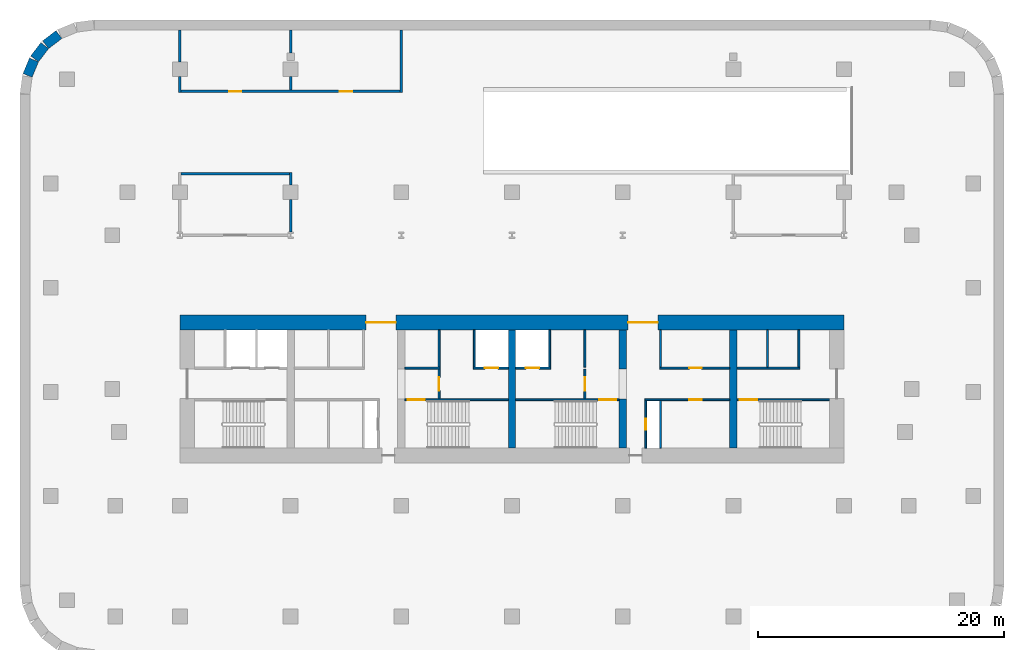
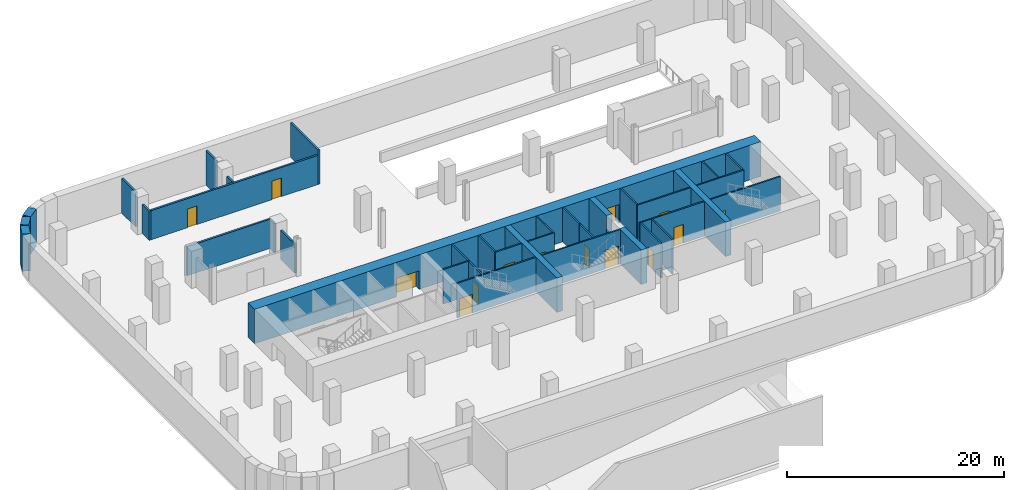
# One storey, part 3 of 6: 37 walls, 14 doors, 14 openings.
"""IFC4 building model written with IfcOpenShell, lengths in metres."""

from ifc_helpers import new_model, si_unit, direction, frame, frame_2d, origin, place, context, subcontext, project, spatial, rectangle, extrude, material, layer, layer_set, type_object, element, fill, save


model = new_model("IFC4")

# Units and contexts
model_context = context("Model", 3, precision=1e-05, world=origin(), true_north=direction((0.0, 1.0)))
body_context = subcontext(model_context, "Body", "Model", "MODEL_VIEW")
ifc_project = project(units=[si_unit("LENGTHUNIT", "METRE"), si_unit("AREAUNIT", "SQUARE_METRE"), si_unit("VOLUMEUNIT", "CUBIC_METRE"), si_unit("PLANEANGLEUNIT", "RADIAN"), si_unit("MASSUNIT", "GRAM", prefix="KILO")], contexts=[model_context])

# Site, building, storey
site_placement = place(None, origin())
site = spatial("IfcSite", under=ifc_project, at=site_placement, CompositionType="ELEMENT")
building_placement = place(site_placement, origin())
building = spatial("IfcBuilding", under=site, at=building_placement, Name="Zellij Exchange Tower", CompositionType="ELEMENT")
storey_placement = place(building_placement, frame((0.0, 0.0, -4.199951171875)))
storey = spatial("IfcBuildingStorey", under=building, at=storey_placement, Name="B1", CompositionType="ELEMENT", Elevation=-4.199951171875)

# Wall
ifc_material_1 = material(Name="Concrete C32/40", Category="concrete")
ifc_layer_1 = layer(ifc_material_1, 0.199951171875)
ifc_layer_set_1 = layer_set([ifc_layer_1], Name="Concrete C32/40")
wall_type_1 = type_object("IfcWallType", Name="BSM-Wall 200", PredefinedType="PARTITIONING", material=ifc_layer_set_1)
wall_1_placement = place(storey_placement, frame((-26.89990234375, 9.5, 0.0), z_axis=(0.0, 0.0, 1.0), x_axis=(1.0, 0.0, 0.0)))
element("IfcWall", 1, at=wall_1_placement, inside=storey, type_object=wall_type_1, Name="Partition 4", PredefinedType="PARTITIONING", context=body_context, shape_type="SweptSolid", body=[
    extrude(rectangle(XDim=8.7998046875, YDim=0.199951171875, at=frame_2d((4.39990234375, 0.0))), origin(), (0.0, 0.0, 1.0), 3.287841796875),
])

# Wall, openings, doors
wall_2_placement = place(storey_placement, frame((-26.89990234375, 16.199951171875, 0.0), z_axis=(0.0, 0.0, 1.0), x_axis=(1.0, 0.0, 0.0)))
wall_2 = element("IfcWall", 2, at=wall_2_placement, inside=storey, type_object=wall_type_1, Name="Partition 5", PredefinedType="PARTITIONING", context=body_context, shape_type="SweptSolid", body=[
    extrude(rectangle(XDim=17.7998046875, YDim=0.199951171875, at=frame_2d((8.89990234375, 0.0))), origin(), (0.0, 0.0, 1.0), 3.287841796875),
])
opening_1_placement = place(wall_2_placement, frame((3.89990234375, 0.0, 0.0)))
opening_1 = element("IfcOpeningElement", 3, at=opening_1_placement, cuts=wall_2, Name="Opening BS1.03", PredefinedType="OPENING", context=body_context, shape_type="SweptSolid", body=[
    extrude(rectangle(XDim=1.0, YDim=2.10009765625, at=frame_2d((0.5, 1.050048828125))), frame((0.0, 0.11181640625, 0.0), z_axis=(0.0, -1.0, 0.0), x_axis=(1.0, 0.0, 0.0)), (0.0, 0.0, 1.0), 0.223876953125),
])
opening_2_placement = place(wall_2_placement, frame((12.89990234375, 0.0, 0.0)))
opening_2 = element("IfcOpeningElement", 4, at=opening_2_placement, cuts=wall_2, Name="Opening BS1.04", PredefinedType="OPENING", context=body_context, shape_type="SweptSolid", body=[
    extrude(rectangle(XDim=1.0, YDim=2.10009765625, at=frame_2d((0.5, 1.050048828125))), frame((0.0, 0.11181640625, 0.0), z_axis=(0.0, -1.0, 0.0), x_axis=(1.0, 0.0, 0.0)), (0.0, 0.0, 1.0), 0.223876953125),
])
ifc_material_2 = material(Name="Painted steel door leaf", Category="steel")
door_type_1 = type_object("IfcDoorType", Name="BSM-Door 1000x2100 FD60", OperationType="SINGLE_SWING_LEFT", PredefinedType="DOOR", material=ifc_material_2)
door_1_placement = place(opening_1_placement, origin())
door_1 = element("IfcDoor", 5, at=door_1_placement, inside=storey, type_object=door_type_1, Name="bsm.B1.door.BS1.03", OperationType="SINGLE_SWING_LEFT", OverallHeight=2.10009765625, OverallWidth=1.0, PredefinedType="DOOR", context=body_context, shape_type="SweptSolid", body=[
    extrude(rectangle(XDim=1.0, YDim=2.10009765625, at=frame_2d((0.5, 1.050048828125))), frame((0.0, 0.02490234375, 0.0), z_axis=(0.0, -1.0, 0.0), x_axis=(1.0, 0.0, 0.0)), (0.0, 0.0, 1.0), 0.050048828125),
])
fill(opening_1, door_1)
door_2_placement = place(opening_2_placement, origin())
door_2 = element("IfcDoor", 6, at=door_2_placement, inside=storey, type_object=door_type_1, Name="bsm.B1.door.BS1.04", OperationType="SINGLE_SWING_LEFT", OverallHeight=2.10009765625, OverallWidth=1.0, PredefinedType="DOOR", context=body_context, shape_type="SweptSolid", body=[
    extrude(rectangle(XDim=1.0, YDim=2.10009765625, at=frame_2d((0.5, 1.050048828125))), frame((0.0, 0.02490234375, 0.0), z_axis=(0.0, -1.0, 0.0), x_axis=(1.0, 0.0, 0.0)), (0.0, 0.0, 1.0), 0.050048828125),
])
fill(opening_2, door_2)

# Walls
wall_3_placement = place(storey_placement, frame((-27.0, 16.10009765625, 0.0), z_axis=(0.0, 0.0, 1.0), x_axis=(0.0, 1.0, 0.0)))
element("IfcWall", 7, at=wall_3_placement, inside=storey, type_object=wall_type_1, Name="Partition 8", PredefinedType="PARTITIONING", context=body_context, shape_type="SweptSolid", body=[
    extrude(rectangle(XDim=1.2998046875, YDim=0.199951171875, at=frame_2d((0.64990234375, 0.0))), origin(), (0.0, 0.0, 1.0), 3.287841796875),
])
wall_4_placement = place(storey_placement, frame((-27.0, 18.60009765625, 0.0), z_axis=(0.0, 0.0, 1.0), x_axis=(0.0, 1.0, 0.0)))
element("IfcWall", 8, at=wall_4_placement, inside=storey, type_object=wall_type_1, Name="Partition 9", PredefinedType="PARTITIONING", context=body_context, shape_type="SweptSolid", body=[
    extrude(rectangle(XDim=2.599853515625, YDim=0.199951171875, at=frame_2d((1.2998046875, 0.0))), origin(), (0.0, 0.0, 1.0), 3.89990234375),
])
wall_5_placement = place(storey_placement, frame((-18.0, 4.784423828125, 0.0), z_axis=(0.0, 0.0, 1.0), x_axis=(0.0, 1.0, 0.0)))
element("IfcWall", 9, at=wall_5_placement, inside=storey, type_object=wall_type_1, Name="Partition 10", PredefinedType="PARTITIONING", context=body_context, shape_type="SweptSolid", body=[
    extrude(rectangle(XDim=2.615478515625, YDim=0.199951171875, at=frame_2d((1.3076171875, 0.0))), origin(), (0.0, 0.0, 1.0), 3.287841796875),
])
wall_6_placement = place(storey_placement, frame((-18.0, 8.60009765625, 0.0), z_axis=(0.0, 0.0, 1.0), x_axis=(0.0, 1.0, 0.0)))
element("IfcWall", 10, at=wall_6_placement, inside=storey, type_object=wall_type_1, Name="Partition 11", PredefinedType="PARTITIONING", context=body_context, shape_type="SweptSolid", body=[
    extrude(rectangle(XDim=1.0, YDim=0.199951171875, at=frame_2d((0.5, 0.0))), origin(), (0.0, 0.0, 1.0), 3.287841796875),
])
wall_7_placement = place(storey_placement, frame((-18.0, 16.300048828125, 0.0), z_axis=(0.0, 0.0, 1.0), x_axis=(0.0, 1.0, 0.0)))
element("IfcWall", 11, at=wall_7_placement, inside=storey, type_object=wall_type_1, Name="Partition 12", PredefinedType="PARTITIONING", context=body_context, shape_type="SweptSolid", body=[
    extrude(rectangle(XDim=1.099853515625, YDim=0.199951171875, at=frame_2d((0.5498046875, 0.0))), origin(), (0.0, 0.0, 1.0), 3.287841796875),
])
wall_8_placement = place(storey_placement, frame((-18.0, 19.300048828125, 0.0), z_axis=(0.0, 0.0, 1.0), x_axis=(0.0, 1.0, 0.0)))
element("IfcWall", 12, at=wall_8_placement, inside=storey, type_object=wall_type_1, Name="Partition 13", PredefinedType="PARTITIONING", context=body_context, shape_type="SweptSolid", body=[
    extrude(rectangle(XDim=1.89990234375, YDim=0.199951171875, at=frame_2d((0.949951171875, 0.0))), origin(), (0.0, 0.0, 1.0), 3.89990234375),
])
wall_9_placement = place(storey_placement, frame((-9.0, 16.10009765625, 0.0), z_axis=(0.0, 0.0, 1.0), x_axis=(0.0, 1.0, 0.0)))
element("IfcWall", 13, at=wall_9_placement, inside=storey, type_object=wall_type_1, Name="Partition 14", PredefinedType="PARTITIONING", context=body_context, shape_type="SweptSolid", body=[
    extrude(rectangle(XDim=5.099853515625, YDim=0.199951171875, at=frame_2d((2.5498046875, 0.0))), origin(), (0.0, 0.0, 1.0), 3.89990234375),
])
ifc_material_3 = material(Name="Concrete C70/85", Category="concrete")
ifc_layer_2 = layer(ifc_material_3, 0.60009765625)
ifc_layer_set_2 = layer_set([ifc_layer_2], Name="Concrete C70/85")
wall_type_2 = type_object("IfcWallType", Name="CORE-CW 600 C70/85", PredefinedType="SHEAR", material=ifc_layer_set_2)
wall_10_placement = place(storey_placement, frame((0.0, -12.800048828125, 0.0), z_axis=(0.0, 0.0, 1.0), x_axis=(0.0, 1.0, 0.0)))
element("IfcWall", 14, at=wall_10_placement, inside=storey, type_object=wall_type_2, Name="Core cross wall x 0 B1", PredefinedType="SHEAR", context=body_context, shape_type="SweptSolid", body=[
    extrude(rectangle(XDim=9.60009765625, YDim=0.60009765625, at=frame_2d((4.800048828125, 0.0))), origin(), (0.0, 0.0, 1.0), 3.89990234375),
])
wall_11_placement = place(storey_placement, frame((9.0, -12.800048828125, 0.0), z_axis=(0.0, 0.0, 1.0), x_axis=(0.0, 1.0, 0.0)))
element("IfcWall", 15, at=wall_11_placement, inside=storey, type_object=wall_type_2, Name="Core cross wall pier x 9 a B1", PredefinedType="SHEAR", context=body_context, shape_type="SweptSolid", body=[
    extrude(rectangle(XDim=4.0, YDim=0.60009765625, at=frame_2d((2.0, 0.0))), origin(), (0.0, 0.0, 1.0), 3.89990234375),
])
wall_12_placement = place(storey_placement, frame((9.0, -6.375, 0.0), z_axis=(0.0, 0.0, 1.0), x_axis=(0.0, 1.0, 0.0)))
element("IfcWall", 16, at=wall_12_placement, inside=storey, type_object=wall_type_2, Name="Core cross wall pier x 9 b B1", PredefinedType="SHEAR", context=body_context, shape_type="SweptSolid", body=[
    extrude(rectangle(XDim=3.175048828125, YDim=0.60009765625, at=frame_2d((1.58740234375, 0.0))), origin(), (0.0, 0.0, 1.0), 3.89990234375),
])
wall_13_placement = place(storey_placement, frame((18.0, -12.800048828125, 0.0), z_axis=(0.0, 0.0, 1.0), x_axis=(0.0, 1.0, 0.0)))
element("IfcWall", 17, at=wall_13_placement, inside=storey, type_object=wall_type_2, Name="Core cross wall x 18 B1", PredefinedType="SHEAR", context=body_context, shape_type="SweptSolid", body=[
    extrude(rectangle(XDim=9.60009765625, YDim=0.60009765625, at=frame_2d((4.800048828125, 0.0))), origin(), (0.0, 0.0, 1.0), 3.89990234375),
])

# Wall, opening, door
ifc_material_4 = material(Name="Gypsum shaft wall system")
ifc_layer_3 = layer(ifc_material_4, 0.14990234375)
ifc_layer_set_3 = layer_set([ifc_layer_3], Name="Gypsum shaft wall system")
wall_type_3 = type_object("IfcWallType", Name="CORE-PW 150 Firefighting lobby wall", PredefinedType="PARTITIONING", material=ifc_layer_set_3)
wall_14_placement = place(storey_placement, frame((-5.925048828125, -8.800048828125, 0.0), z_axis=(0.0, 0.0, 1.0), x_axis=(0.0, 1.0, 0.0)))
wall_14 = element("IfcWall", 18, at=wall_14_placement, inside=storey, type_object=wall_type_3, Name="Firefighting lobby wall B1", PredefinedType="PARTITIONING", context=body_context, shape_type="SweptSolid", body=[
    extrude(rectangle(XDim=2.425048828125, YDim=0.14990234375, at=frame_2d((1.21240234375, 0.0))), origin(), (0.0, 0.0, 1.0), 3.89990234375),
])
opening_3_placement = place(wall_14_placement, frame((0.662109375, 0.0, 0.0)))
opening_3 = element("IfcOpeningElement", 19, at=opening_3_placement, cuts=wall_14, Name="Opening CA-02.09", PredefinedType="OPENING", context=body_context, shape_type="SweptSolid", body=[
    extrude(rectangle(XDim=1.10009765625, YDim=2.10009765625, at=frame_2d((0.550048828125, 1.050048828125))), frame((0.0, 0.0869140625, 0.0), z_axis=(0.0, -1.0, 0.0), x_axis=(1.0, 0.0, 0.0)), (0.0, 0.0, 1.0), 0.173828125),
])
ifc_material_5 = material(Name="Hollow metal fire door")
door_type_2 = type_object("IfcDoorType", Name="CORE-D F Firefighting lobby door 1100x2100 1 HR", OperationType="NOTDEFINED", PredefinedType="DOOR", material=ifc_material_5)
door_3_placement = place(opening_3_placement, origin())
door_3 = element("IfcDoor", 20, at=door_3_placement, inside=storey, type_object=door_type_2, Name="Firefighting lobby door CA-02.09", OperationType="SINGLE_SWING_LEFT", OverallHeight=2.10009765625, OverallWidth=1.10009765625, PredefinedType="DOOR", context=body_context, shape_type="SweptSolid", body=[
    extrude(rectangle(XDim=1.10009765625, YDim=2.10009765625, at=frame_2d((0.550048828125, 1.050048828125))), frame((0.0, 0.02490234375, 0.0), z_axis=(0.0, -1.0, 0.0), x_axis=(1.0, 0.0, 0.0)), (0.0, 0.0, 1.0), 0.050048828125),
])
fill(opening_3, door_3)

wall_15_placement = place(storey_placement, frame((5.925048828125, -8.800048828125, 0.0), z_axis=(0.0, 0.0, 1.0), x_axis=(0.0, 1.0, 0.0)))
wall_15 = element("IfcWall", 21, at=wall_15_placement, inside=storey, type_object=wall_type_3, Name="Firefighting lobby wall B1", PredefinedType="PARTITIONING", context=body_context, shape_type="SweptSolid", body=[
    extrude(rectangle(XDim=2.425048828125, YDim=0.14990234375, at=frame_2d((1.21240234375, 0.0))), origin(), (0.0, 0.0, 1.0), 3.89990234375),
])
opening_4_placement = place(wall_15_placement, frame((0.662109375, 0.0, 0.0)))
opening_4 = element("IfcOpeningElement", 22, at=opening_4_placement, cuts=wall_15, Name="Opening CA-02.12", PredefinedType="OPENING", context=body_context, shape_type="SweptSolid", body=[
    extrude(rectangle(XDim=1.10009765625, YDim=2.10009765625, at=frame_2d((0.550048828125, 1.050048828125))), frame((0.0, 0.0869140625, 0.0), z_axis=(0.0, -1.0, 0.0), x_axis=(1.0, 0.0, 0.0)), (0.0, 0.0, 1.0), 0.173828125),
])
door_4_placement = place(opening_4_placement, origin())
door_4 = element("IfcDoor", 23, at=door_4_placement, inside=storey, type_object=door_type_2, Name="Firefighting lobby door CA-02.12", OperationType="SINGLE_SWING_RIGHT", OverallHeight=2.10009765625, OverallWidth=1.10009765625, PredefinedType="DOOR", context=body_context, shape_type="SweptSolid", body=[
    extrude(rectangle(XDim=1.10009765625, YDim=2.10009765625, at=frame_2d((0.550048828125, 1.050048828125))), frame((0.0, 0.02490234375, 0.0), z_axis=(0.0, -1.0, 0.0), x_axis=(1.0, 0.0, 0.0)), (0.0, 0.0, 1.0), 0.050048828125),
])
fill(opening_4, door_4)

# Walls
ifc_layer_4 = layer(ifc_material_4, 0.14990234375)
ifc_layer_set_4 = layer_set([ifc_layer_4], Name="Gypsum shaft wall system")
wall_type_4 = type_object("IfcWallType", Name="CORE-PW 150 Lift shaft wall", PredefinedType="PARTITIONING", material=ifc_layer_set_4)
for number, where, z_axis, x_axis, name in (
    (24, (-3.074951171875, -6.22509765625, 0.0), (0.0, 0.0, 1.0), (0.0, 1.0, 0.0), "Lift shaft wall B1"),
    (25, (-5.925048828125, -6.22509765625, 0.0), (0.0, 0.0, 1.0), (0.0, 1.0, 0.0), "Lift shaft wall B1"),
    (26, (3.074951171875, -6.22509765625, 0.0), (0.0, 0.0, 1.0), (0.0, 1.0, 0.0), "Lift shaft wall B1"),
    (27, (20.77490234375, -6.22509765625, 0.0), (0.0, 0.0, 1.0), (0.0, 1.0, 0.0), "Lift shaft wall B1"),
    (28, (23.324951171875, -6.22509765625, 0.0), (0.0, 0.0, 1.0), (0.0, 1.0, 0.0), "Lift shaft wall B1"),
):
    element("IfcWall", number, at=place(storey_placement, frame(where, z_axis=z_axis, x_axis=x_axis)), inside=storey, type_object=wall_type_4, Name=name, PredefinedType="PARTITIONING", context=body_context, shape_type="SweptSolid", body=[
        extrude(rectangle(XDim=3.025146484375, YDim=0.14990234375, at=frame_2d((1.5126953125, 0.0))), origin(), (0.0, 0.0, 1.0), 3.89990234375),
    ])
wall_16_placement = place(storey_placement, frame((-8.699951171875, -6.300048828125, 0.0), z_axis=(0.0, 0.0, 1.0), x_axis=(1.0, 0.0, 0.0)))
element("IfcWall", 29, at=wall_16_placement, inside=storey, type_object=wall_type_4, Name="Lift shaft wall B1", PredefinedType="PARTITIONING", context=body_context, shape_type="SweptSolid", body=[
    extrude(rectangle(XDim=2.849853515625, YDim=0.14990234375, at=frame_2d((1.4248046875, 0.0))), origin(), (0.0, 0.0, 1.0), 3.89990234375),
])

# Wall, opening, door
wall_17_placement = place(storey_placement, frame((-3.14990234375, -6.300048828125, 0.0), z_axis=(0.0, 0.0, 1.0), x_axis=(1.0, 0.0, 0.0)))
wall_17 = element("IfcWall", 30, at=wall_17_placement, inside=storey, type_object=wall_type_4, Name="Lift shaft wall B1", PredefinedType="PARTITIONING", context=body_context, shape_type="SweptSolid", body=[
    extrude(rectangle(XDim=2.849853515625, YDim=0.14990234375, at=frame_2d((1.4248046875, 0.0))), origin(), (0.0, 0.0, 1.0), 3.89990234375),
])
opening_5_placement = place(wall_17_placement, frame((0.949951171875, 0.0, 0.0)))
opening_5 = element("IfcOpeningElement", 31, at=opening_5_placement, cuts=wall_17, Name="Opening CA-02.10", PredefinedType="OPENING", context=body_context, shape_type="SweptSolid", body=[
    extrude(rectangle(XDim=1.10009765625, YDim=2.10009765625, at=frame_2d((0.550048828125, 1.050048828125))), frame((0.0, 0.0869140625, 0.0), z_axis=(0.0, -1.0, 0.0), x_axis=(1.0, 0.0, 0.0)), (0.0, 0.0, 1.0), 0.173828125),
])
door_type_3 = type_object("IfcDoorType", Name="CORE-D LD Lift landing door 1100x2100 1.5 HR", OperationType="NOTDEFINED", PredefinedType="DOOR", material=ifc_material_5)
door_5_placement = place(opening_5_placement, origin())
door_5 = element("IfcDoor", 32, at=door_5_placement, inside=storey, type_object=door_type_3, Name="Lift landing door CA-02.10", OperationType="SLIDING_TO_RIGHT", OverallHeight=2.10009765625, OverallWidth=1.10009765625, PredefinedType="DOOR", context=body_context, shape_type="SweptSolid", body=[
    extrude(rectangle(XDim=1.10009765625, YDim=2.10009765625, at=frame_2d((0.550048828125, 1.050048828125))), frame((0.0, 0.02490234375, 0.0), z_axis=(0.0, -1.0, 0.0), x_axis=(1.0, 0.0, 0.0)), (0.0, 0.0, 1.0), 0.050048828125),
])
fill(opening_5, door_5)

wall_18_placement = place(storey_placement, frame((0.300048828125, -6.300048828125, 0.0), z_axis=(0.0, 0.0, 1.0), x_axis=(1.0, 0.0, 0.0)))
wall_18 = element("IfcWall", 33, at=wall_18_placement, inside=storey, type_object=wall_type_4, Name="Lift shaft wall B1", PredefinedType="PARTITIONING", context=body_context, shape_type="SweptSolid", body=[
    extrude(rectangle(XDim=2.849853515625, YDim=0.14990234375, at=frame_2d((1.4248046875, 0.0))), origin(), (0.0, 0.0, 1.0), 3.89990234375),
])
opening_6_placement = place(wall_18_placement, frame((0.800048828125, 0.0, 0.0)))
opening_6 = element("IfcOpeningElement", 34, at=opening_6_placement, cuts=wall_18, Name="Opening CA-02.11", PredefinedType="OPENING", context=body_context, shape_type="SweptSolid", body=[
    extrude(rectangle(XDim=1.10009765625, YDim=2.10009765625, at=frame_2d((0.550048828125, 1.050048828125))), frame((0.0, 0.0869140625, 0.0), z_axis=(0.0, -1.0, 0.0), x_axis=(1.0, 0.0, 0.0)), (0.0, 0.0, 1.0), 0.173828125),
])
door_6_placement = place(opening_6_placement, origin())
door_6 = element("IfcDoor", 35, at=door_6_placement, inside=storey, type_object=door_type_3, Name="Lift landing door CA-02.11", OperationType="SLIDING_TO_LEFT", OverallHeight=2.10009765625, OverallWidth=1.10009765625, PredefinedType="DOOR", context=body_context, shape_type="SweptSolid", body=[
    extrude(rectangle(XDim=1.10009765625, YDim=2.10009765625, at=frame_2d((0.550048828125, 1.050048828125))), frame((0.0, 0.02490234375, 0.0), z_axis=(0.0, -1.0, 0.0), x_axis=(1.0, 0.0, 0.0)), (0.0, 0.0, 1.0), 0.050048828125),
])
fill(opening_6, door_6)

# Walls
wall_19_placement = place(storey_placement, frame((18.300048828125, -6.300048828125, 0.0), z_axis=(0.0, 0.0, 1.0), x_axis=(1.0, 0.0, 0.0)))
element("IfcWall", 36, at=wall_19_placement, inside=storey, type_object=wall_type_4, Name="Lift shaft wall B1", PredefinedType="PARTITIONING", context=body_context, shape_type="SweptSolid", body=[
    extrude(rectangle(XDim=5.099853515625, YDim=0.14990234375, at=frame_2d((2.5498046875, 0.0))), origin(), (0.0, 0.0, 1.0), 3.89990234375),
])
ifc_layer_5 = layer(ifc_material_4, 0.14990234375)
ifc_layer_set_5 = layer_set([ifc_layer_5], Name="Gypsum shaft wall system")
wall_type_5 = type_object("IfcWallType", Name="CORE-PW 150 Plant room wall", PredefinedType="PARTITIONING", material=ifc_layer_set_5)
for number, where, z_axis, x_axis, name in (
    (37, (5.925048828125, -6.22509765625, 0.0), (0.0, 0.0, 1.0), (0.0, 1.0, 0.0), "Plant room wall B1"),
    (38, (12.074951171875, -6.22509765625, 0.0), (0.0, 0.0, 1.0), (0.0, 1.0, 0.0), "Plant room wall B1"),
):
    element("IfcWall", number, at=place(storey_placement, frame(where, z_axis=z_axis, x_axis=x_axis)), inside=storey, type_object=wall_type_5, Name=name, PredefinedType="PARTITIONING", context=body_context, shape_type="SweptSolid", body=[
        extrude(rectangle(XDim=3.025146484375, YDim=0.14990234375, at=frame_2d((1.5126953125, 0.0))), origin(), (0.0, 0.0, 1.0), 3.89990234375),
    ])

# Wall, opening, door
wall_20_placement = place(storey_placement, frame((10.875, -12.800048828125, 0.0), z_axis=(0.0, 0.0, 1.0), x_axis=(0.0, 1.0, 0.0)))
wall_20 = element("IfcWall", 39, at=wall_20_placement, inside=storey, type_object=wall_type_5, Name="Plant room wall B1", PredefinedType="PARTITIONING", context=body_context, shape_type="SweptSolid", body=[
    extrude(rectangle(XDim=3.85009765625, YDim=0.14990234375, at=frame_2d((1.925048828125, 0.0))), origin(), (0.0, 0.0, 1.0), 3.89990234375),
])
opening_7_placement = place(wall_20_placement, frame((1.47509765625, 0.0, 0.0)))
opening_7 = element("IfcOpeningElement", 40, at=opening_7_placement, cuts=wall_20, Name="Opening CA-02.16", PredefinedType="OPENING", context=body_context, shape_type="SweptSolid", body=[
    extrude(rectangle(XDim=0.89990234375, YDim=2.10009765625, at=frame_2d((0.449951171875, 1.050048828125))), frame((0.0, 0.0869140625, 0.0), z_axis=(0.0, -1.0, 0.0), x_axis=(1.0, 0.0, 0.0)), (0.0, 0.0, 1.0), 0.173828125),
])
door_type_4 = type_object("IfcDoorType", Name="CORE-D RD Riser door 900x2100 1.5 HR", OperationType="NOTDEFINED", PredefinedType="DOOR", material=ifc_material_5)
door_7_placement = place(opening_7_placement, origin())
door_7 = element("IfcDoor", 41, at=door_7_placement, inside=storey, type_object=door_type_4, Name="Riser door CA-02.16", OperationType="SINGLE_SWING_LEFT", OverallHeight=2.10009765625, OverallWidth=0.89990234375, PredefinedType="DOOR", context=body_context, shape_type="SweptSolid", body=[
    extrude(rectangle(XDim=0.89990234375, YDim=2.10009765625, at=frame_2d((0.449951171875, 1.050048828125))), frame((0.0, 0.02490234375, 0.0), z_axis=(0.0, -1.0, 0.0), x_axis=(1.0, 0.0, 0.0)), (0.0, 0.0, 1.0), 0.050048828125),
])
fill(opening_7, door_7)

# Wall
wall_21_placement = place(storey_placement, frame((12.074951171875, -12.800048828125, 0.0), z_axis=(0.0, 0.0, 1.0), x_axis=(0.0, 1.0, 0.0)))
element("IfcWall", 42, at=wall_21_placement, inside=storey, type_object=wall_type_5, Name="Plant room wall B1", PredefinedType="PARTITIONING", context=body_context, shape_type="SweptSolid", body=[
    extrude(rectangle(XDim=3.85009765625, YDim=0.14990234375, at=frame_2d((1.925048828125, 0.0))), origin(), (0.0, 0.0, 1.0), 3.89990234375),
])

# Wall, opening, door
wall_22_placement = place(storey_placement, frame((12.0, -6.300048828125, 0.0), z_axis=(0.0, 0.0, 1.0), x_axis=(1.0, 0.0, 0.0)))
wall_22 = element("IfcWall", 43, at=wall_22_placement, inside=storey, type_object=wall_type_5, Name="Plant room wall B1", PredefinedType="PARTITIONING", context=body_context, shape_type="SweptSolid", body=[
    extrude(rectangle(XDim=5.699951171875, YDim=0.14990234375, at=frame_2d((2.85009765625, 0.0))), origin(), (0.0, 0.0, 1.0), 3.89990234375),
])
opening_8_placement = place(wall_22_placement, frame((2.425048828125, 0.0, 0.0)))
opening_8 = element("IfcOpeningElement", 44, at=opening_8_placement, cuts=wall_22, Name="Opening CA-02.18", PredefinedType="OPENING", context=body_context, shape_type="SweptSolid", body=[
    extrude(rectangle(XDim=1.0, YDim=2.10009765625, at=frame_2d((0.5, 1.050048828125))), frame((0.0, 0.0869140625, 0.0), z_axis=(0.0, -1.0, 0.0), x_axis=(1.0, 0.0, 0.0)), (0.0, 0.0, 1.0), 0.173828125),
])
door_type_5 = type_object("IfcDoorType", Name="CORE-D CDA Core room door 1000x2100 1.5 HR", OperationType="NOTDEFINED", PredefinedType="DOOR", material=ifc_material_5)
door_8_placement = place(opening_8_placement, origin())
door_8 = element("IfcDoor", 45, at=door_8_placement, inside=storey, type_object=door_type_5, Name="Core room door CA-02.18", OperationType="SINGLE_SWING_RIGHT", OverallHeight=2.10009765625, OverallWidth=1.0, PredefinedType="DOOR", context=body_context, shape_type="SweptSolid", body=[
    extrude(rectangle(XDim=1.0, YDim=2.10009765625, at=frame_2d((0.5, 1.050048828125))), frame((0.0, 0.02490234375, 0.0), z_axis=(0.0, -1.0, 0.0), x_axis=(1.0, 0.0, 0.0)), (0.0, 0.0, 1.0), 0.050048828125),
])
fill(opening_8, door_8)

wall_23_placement = place(storey_placement, frame((10.800048828125, -8.875, 0.0), z_axis=(0.0, 0.0, 1.0), x_axis=(1.0, 0.0, 0.0)))
wall_23 = element("IfcWall", 46, at=wall_23_placement, inside=storey, type_object=wall_type_5, Name="Plant room wall B1", PredefinedType="PARTITIONING", context=body_context, shape_type="SweptSolid", body=[
    extrude(rectangle(XDim=6.89990234375, YDim=0.14990234375, at=frame_2d((3.449951171875, 0.0))), origin(), (0.0, 0.0, 1.0), 3.89990234375),
])
opening_9_placement = place(wall_23_placement, frame((3.625, 0.0, 0.0)))
opening_9 = element("IfcOpeningElement", 47, at=opening_9_placement, cuts=wall_23, Name="Opening CA-02.17", PredefinedType="OPENING", context=body_context, shape_type="SweptSolid", body=[
    extrude(rectangle(XDim=1.0, YDim=2.10009765625, at=frame_2d((0.5, 1.050048828125))), frame((0.0, 0.0869140625, 0.0), z_axis=(0.0, -1.0, 0.0), x_axis=(1.0, 0.0, 0.0)), (0.0, 0.0, 1.0), 0.173828125),
])
door_9_placement = place(opening_9_placement, origin())
door_9 = element("IfcDoor", 48, at=door_9_placement, inside=storey, type_object=door_type_5, Name="Core room door CA-02.17", OperationType="SINGLE_SWING_LEFT", OverallHeight=2.10009765625, OverallWidth=1.0, PredefinedType="DOOR", context=body_context, shape_type="SweptSolid", body=[
    extrude(rectangle(XDim=1.0, YDim=2.10009765625, at=frame_2d((0.5, 1.050048828125))), frame((0.0, 0.02490234375, 0.0), z_axis=(0.0, -1.0, 0.0), x_axis=(1.0, 0.0, 0.0)), (0.0, 0.0, 1.0), 0.050048828125),
])
fill(opening_9, door_9)

# Wall, openings, doors
ifc_layer_6 = layer(ifc_material_3, 1.199951171875)
ifc_layer_set_6 = layer_set([ifc_layer_6], Name="Concrete C70/85")
wall_type_6 = type_object("IfcWallType", Name="CORE-SW 1200 C70/85", PredefinedType="SHEAR", material=ifc_layer_set_6)
wall_24_placement = place(storey_placement, frame((-27.0, -2.60009765625, 0.0), z_axis=(0.0, 0.0, 1.0), x_axis=(1.0, 0.0, 0.0)))
wall_24 = element("IfcWall", 49, at=wall_24_placement, inside=storey, type_object=wall_type_6, Name="Core shear wall front B1", PredefinedType="SHEAR", context=body_context, shape_type="SweptSolid", body=[
    extrude(rectangle(XDim=54.0, YDim=1.199951171875, at=frame_2d((27.0, 0.0))), origin(), (0.0, 0.0, 1.0), 3.89990234375),
])
opening_10_placement = place(wall_24_placement, frame((15.14990234375, 0.0, 0.0)))
opening_10 = element("IfcOpeningElement", 50, at=opening_10_placement, cuts=wall_24, Name="Opening CA-02.06", PredefinedType="OPENING", context=body_context, shape_type="SweptSolid", body=[
    extrude(rectangle(XDim=2.39990234375, YDim=2.10009765625, at=frame_2d((1.199951171875, 1.050048828125))), frame((0.0, 0.61181640625, 0.0), z_axis=(0.0, -1.0, 0.0), x_axis=(1.0, 0.0, 0.0)), (0.0, 0.0, 1.0), 1.223876953125),
])
opening_11_placement = place(wall_24_placement, frame((36.449951171875, 0.0, 0.0)))
opening_11 = element("IfcOpeningElement", 51, at=opening_11_placement, cuts=wall_24, Name="Opening CA-02.15", PredefinedType="OPENING", context=body_context, shape_type="SweptSolid", body=[
    extrude(rectangle(XDim=2.39990234375, YDim=2.10009765625, at=frame_2d((1.199951171875, 1.050048828125))), frame((0.0, 0.61181640625, 0.0), z_axis=(0.0, -1.0, 0.0), x_axis=(1.0, 0.0, 0.0)), (0.0, 0.0, 1.0), 1.223876953125),
])
door_type_6 = type_object("IfcDoorType", Name="CORE-D CE Core entrance door 2400x2100 20 MIN", OperationType="NOTDEFINED", PredefinedType="DOOR", material=ifc_material_5)
door_10_placement = place(opening_10_placement, origin())
door_10 = element("IfcDoor", 52, at=door_10_placement, inside=storey, type_object=door_type_6, Name="Core entrance door CA-02.06", OperationType="DOUBLE_DOOR_SINGLE_SWING", OverallHeight=2.10009765625, OverallWidth=2.39990234375, PredefinedType="DOOR", context=body_context, shape_type="SweptSolid", body=[
    extrude(rectangle(XDim=2.39990234375, YDim=2.10009765625, at=frame_2d((1.199951171875, 1.050048828125))), frame((0.0, 0.02490234375, 0.0), z_axis=(0.0, -1.0, 0.0), x_axis=(1.0, 0.0, 0.0)), (0.0, 0.0, 1.0), 0.050048828125),
])
fill(opening_10, door_10)
door_11_placement = place(opening_11_placement, origin())
door_11 = element("IfcDoor", 53, at=door_11_placement, inside=storey, type_object=door_type_6, Name="Core entrance door CA-02.15", OperationType="DOUBLE_DOOR_SINGLE_SWING", OverallHeight=2.10009765625, OverallWidth=2.39990234375, PredefinedType="DOOR", context=body_context, shape_type="SweptSolid", body=[
    extrude(rectangle(XDim=2.39990234375, YDim=2.10009765625, at=frame_2d((1.199951171875, 1.050048828125))), frame((0.0, 0.02490234375, 0.0), z_axis=(0.0, -1.0, 0.0), x_axis=(1.0, 0.0, 0.0)), (0.0, 0.0, 1.0), 0.050048828125),
])
fill(opening_11, door_11)

# Wall, opening, door
ifc_layer_7 = layer(ifc_material_3, 0.14990234375)
ifc_layer_set_7 = layer_set([ifc_layer_7], Name="Concrete C70/85")
wall_type_7 = type_object("IfcWallType", Name="CORE-SWS 150 C70/85", PredefinedType="SHEAR", material=ifc_layer_set_7)
wall_25_placement = place(storey_placement, frame((-8.699951171875, -8.875, 0.0), z_axis=(0.0, 0.0, 1.0), x_axis=(1.0, 0.0, 0.0)))
wall_25 = element("IfcWall", 54, at=wall_25_placement, inside=storey, type_object=wall_type_7, Name="Stair enclosure wall B1", PredefinedType="SHEAR", context=body_context, shape_type="SweptSolid", body=[
    extrude(rectangle(XDim=8.39990234375, YDim=0.14990234375, at=frame_2d((4.199951171875, 0.0))), origin(), (0.0, 0.0, 1.0), 3.89990234375),
])
opening_12_placement = place(wall_25_placement, frame((0.22509765625, 0.0, 0.0)))
opening_12 = element("IfcOpeningElement", 55, at=opening_12_placement, cuts=wall_25, Name="Opening CA-02.08", PredefinedType="OPENING", context=body_context, shape_type="SweptSolid", body=[
    extrude(rectangle(XDim=1.39990234375, YDim=2.10009765625, at=frame_2d((0.699951171875, 1.050048828125))), frame((0.0, 0.0869140625, 0.0), z_axis=(0.0, -1.0, 0.0), x_axis=(1.0, 0.0, 0.0)), (0.0, 0.0, 1.0), 0.173828125),
])
door_type_7 = type_object("IfcDoorType", Name="CORE-D SD Stair door 1400x2100 1.5 HR", OperationType="NOTDEFINED", PredefinedType="DOOR", material=ifc_material_5)
door_12_placement = place(opening_12_placement, origin())
door_12 = element("IfcDoor", 56, at=door_12_placement, inside=storey, type_object=door_type_7, Name="Stair door CA-02.08", OperationType="DOUBLE_DOOR_SINGLE_SWING", OverallHeight=2.10009765625, OverallWidth=1.39990234375, PredefinedType="DOOR", context=body_context, shape_type="SweptSolid", body=[
    extrude(rectangle(XDim=1.39990234375, YDim=2.10009765625, at=frame_2d((0.699951171875, 1.050048828125))), frame((0.0, 0.02490234375, 0.0), z_axis=(0.0, -1.0, 0.0), x_axis=(1.0, 0.0, 0.0)), (0.0, 0.0, 1.0), 0.050048828125),
])
fill(opening_12, door_12)

wall_26_placement = place(storey_placement, frame((0.300048828125, -8.875, 0.0), z_axis=(0.0, 0.0, 1.0), x_axis=(1.0, 0.0, 0.0)))
wall_26 = element("IfcWall", 57, at=wall_26_placement, inside=storey, type_object=wall_type_7, Name="Stair enclosure wall B1", PredefinedType="SHEAR", context=body_context, shape_type="SweptSolid", body=[
    extrude(rectangle(XDim=8.39990234375, YDim=0.14990234375, at=frame_2d((4.199951171875, 0.0))), origin(), (0.0, 0.0, 1.0), 3.89990234375),
])
opening_13_placement = place(wall_26_placement, frame((6.77490234375, 0.0, 0.0)))
opening_13 = element("IfcOpeningElement", 58, at=opening_13_placement, cuts=wall_26, Name="Opening CA-02.13", PredefinedType="OPENING", context=body_context, shape_type="SweptSolid", body=[
    extrude(rectangle(XDim=1.39990234375, YDim=2.10009765625, at=frame_2d((0.699951171875, 1.050048828125))), frame((0.0, 0.0869140625, 0.0), z_axis=(0.0, -1.0, 0.0), x_axis=(1.0, 0.0, 0.0)), (0.0, 0.0, 1.0), 0.173828125),
])
door_13_placement = place(opening_13_placement, origin())
door_13 = element("IfcDoor", 59, at=door_13_placement, inside=storey, type_object=door_type_7, Name="Stair door CA-02.13", OperationType="DOUBLE_DOOR_SINGLE_SWING", OverallHeight=2.10009765625, OverallWidth=1.39990234375, PredefinedType="DOOR", context=body_context, shape_type="SweptSolid", body=[
    extrude(rectangle(XDim=1.39990234375, YDim=2.10009765625, at=frame_2d((0.699951171875, 1.050048828125))), frame((0.0, 0.02490234375, 0.0), z_axis=(0.0, -1.0, 0.0), x_axis=(1.0, 0.0, 0.0)), (0.0, 0.0, 1.0), 0.050048828125),
])
fill(opening_13, door_13)

wall_27_placement = place(storey_placement, frame((18.300048828125, -8.875, 0.0), z_axis=(0.0, 0.0, 1.0), x_axis=(1.0, 0.0, 0.0)))
wall_27 = element("IfcWall", 60, at=wall_27_placement, inside=storey, type_object=wall_type_7, Name="Stair enclosure wall B1", PredefinedType="SHEAR", context=body_context, shape_type="SweptSolid", body=[
    extrude(rectangle(XDim=7.5, YDim=0.14990234375, at=frame_2d((3.75, 0.0))), origin(), (0.0, 0.0, 1.0), 3.89990234375),
])
opening_14_placement = place(wall_27_placement, frame((0.22509765625, 0.0, 0.0)))
opening_14 = element("IfcOpeningElement", 61, at=opening_14_placement, cuts=wall_27, Name="Opening CA-02.19", PredefinedType="OPENING", context=body_context, shape_type="SweptSolid", body=[
    extrude(rectangle(XDim=1.39990234375, YDim=2.10009765625, at=frame_2d((0.699951171875, 1.050048828125))), frame((0.0, 0.0869140625, 0.0), z_axis=(0.0, -1.0, 0.0), x_axis=(1.0, 0.0, 0.0)), (0.0, 0.0, 1.0), 0.173828125),
])
door_14_placement = place(opening_14_placement, origin())
door_14 = element("IfcDoor", 62, at=door_14_placement, inside=storey, type_object=door_type_7, Name="Stair door CA-02.19", OperationType="DOUBLE_DOOR_SINGLE_SWING", OverallHeight=2.10009765625, OverallWidth=1.39990234375, PredefinedType="DOOR", context=body_context, shape_type="SweptSolid", body=[
    extrude(rectangle(XDim=1.39990234375, YDim=2.10009765625, at=frame_2d((0.699951171875, 1.050048828125))), frame((0.0, 0.02490234375, 0.0), z_axis=(0.0, -1.0, 0.0), x_axis=(1.0, 0.0, 0.0)), (0.0, 0.0, 1.0), 0.050048828125),
])
fill(opening_14, door_14)

# Walls
ifc_material_6 = material(Name="Concrete C40/50", Category="concrete")
ifc_layer_8 = layer(ifc_material_6, 0.800048828125)
ifc_layer_set_8 = layer_set([ifc_layer_8], Name="Concrete C40/50")
wall_type_8 = type_object("IfcWallType", Name="STR-RETAINING WALL 800 C40/50", PredefinedType="SOLIDWALL", material=ifc_layer_set_8)
for number, where, z_axis, x_axis, name in (
    (63, (-39.3857421875, 17.497314453125, 0.0), (0.0, 0.0, 1.0), (0.38276009378, 0.923847774587, 0.0), "Retaining wall B1"),
    (64, (-38.814697265625, 18.840087890625, 0.0), (0.0, 0.0, 1.0), (0.608752883708, 0.793359897258, 0.0), "Retaining wall B1"),
    (65, (-37.91552734375, 19.989501953125, 0.0), (0.0, 0.0, 1.0), (0.793359897258, 0.608752883708, 0.0), "Retaining wall B1"),
):
    element("IfcWall", number, at=place(storey_placement, frame(where, z_axis=z_axis, x_axis=x_axis)), inside=storey, type_object=wall_type_8, Name=name, PredefinedType="SOLIDWALL", context=body_context, shape_type="SweptSolid", body=[
        extrude(rectangle(XDim=1.35546875, YDim=0.800048828125, at=frame_2d((0.677734375, 0.0))), origin(), (0.0, 0.0, 1.0), 4.199951171875),
    ])

save(model, "model.ifc")
